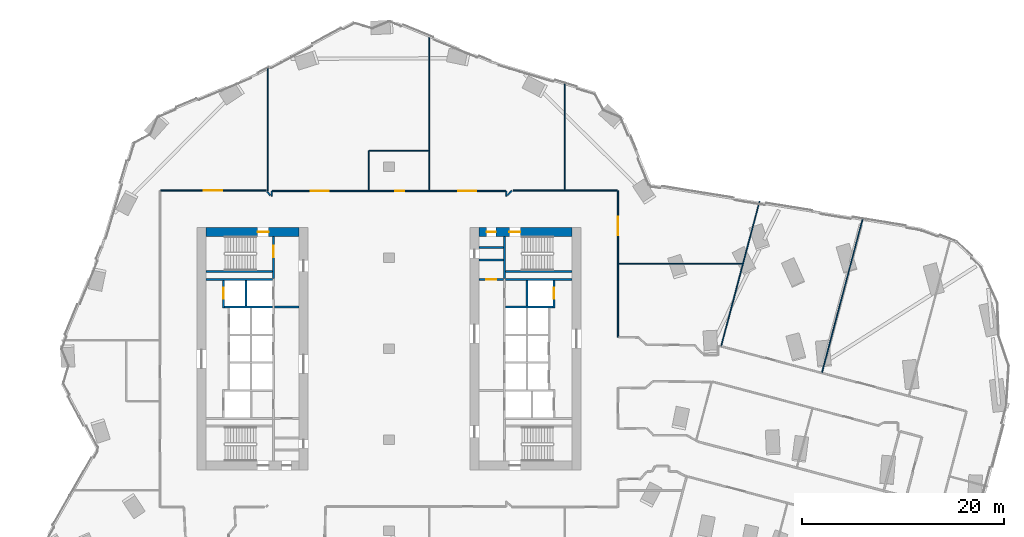
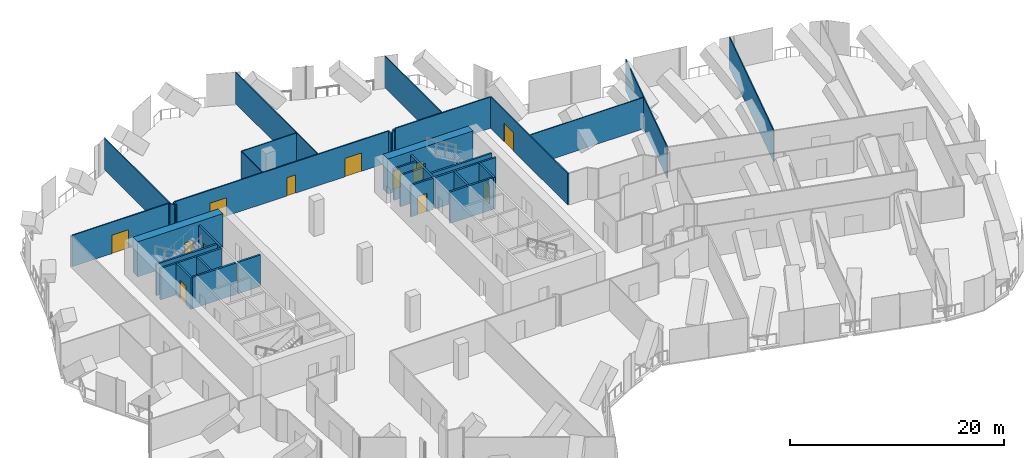
# One storey, part 32 of 37: 34 walls, 12 doors, 12 openings.
"""IFC4 building model written with IfcOpenShell, lengths in metres."""

from ifc_helpers import new_model, si_unit, direction, frame, frame_2d, origin, place, context, subcontext, project, spatial, rectangle, extrude, material, layer, layer_set, type_object, element, fill, save


model = new_model("IFC4")

# Units and contexts
model_context = context("Model", 3, precision=1e-05, world=origin(), true_north=direction((0.0, 1.0)))
body_context = subcontext(model_context, "Body", "Model", "MODEL_VIEW")
ifc_project = project(units=[si_unit("LENGTHUNIT", "METRE"), si_unit("AREAUNIT", "SQUARE_METRE"), si_unit("VOLUMEUNIT", "CUBIC_METRE"), si_unit("PLANEANGLEUNIT", "RADIAN"), si_unit("MASSUNIT", "GRAM", prefix="KILO")], contexts=[model_context])

# Site, building, storey
site_placement = place(None, origin())
site = spatial("IfcSite", under=ifc_project, at=site_placement, CompositionType="ELEMENT")
building_placement = place(site_placement, origin())
building = spatial("IfcBuilding", under=site, at=building_placement, Name="Orlundy Tower", CompositionType="ELEMENT")
storey_placement = place(building_placement, frame((0.0, 0.0, 119.699951171875)))
storey = spatial("IfcBuildingStorey", under=building, at=storey_placement, Name="L30", CompositionType="ELEMENT", Elevation=119.699951171875)

# Wall, opening, door
ifc_material_1 = material(Name="Concrete C80/95", Category="concrete")
ifc_layer_1 = layer(ifc_material_1, 0.89990234375)
ifc_layer_set_1 = layer_set([ifc_layer_1], Name="CORE WALL 900 C80/95")
wall_type_1 = type_object("IfcWallType", Name="CORE WALL 900 C80/95", PredefinedType="SHEAR", material=ifc_layer_set_1)
wall_1_placement = place(storey_placement, frame((-18.10009765625, 11.550048828125, 0.0), z_axis=(0.0, 0.0, 1.0), x_axis=(1.0, 0.0, 0.0)))
wall_1 = element("IfcWall", 1, at=wall_1_placement, inside=storey, type_object=wall_type_1, Name="Core wall W-N L30", PredefinedType="SHEAR", context=body_context, shape_type="SweptSolid", body=[
    extrude(rectangle(XDim=9.2001953125, YDim=0.89990234375, at=frame_2d((4.60009765625, 0.0))), origin(), (0.0, 0.0, 1.0), 4.0),
])
opening_1_placement = place(wall_1_placement, frame((5.10009765625, 0.0, 0.0)))
opening_1 = element("IfcOpeningElement", 2, at=opening_1_placement, cuts=wall_1, Name="Opening 23012", PredefinedType="OPENING", context=body_context, shape_type="SweptSolid", body=[
    extrude(rectangle(XDim=1.10009765625, YDim=2.10009765625, at=frame_2d((0.550048828125, 1.050048828125))), frame((0.0, 0.4599609375, 0.0), z_axis=(0.0, -1.0, 0.0), x_axis=(1.0, 0.0, 0.0)), (0.0, 0.0, 1.0), 0.919921875),
])
ifc_material_2 = material(Name="Steel door set", Category="steel")
door_type_1 = type_object("IfcDoorType", Name="Stair Door 1100x2100", OperationType="SINGLE_SWING_LEFT", PredefinedType="DOOR", material=ifc_material_2)
door_1_placement = place(opening_1_placement, origin())
door_1 = element("IfcDoor", 3, at=door_1_placement, inside=storey, type_object=door_type_1, Name="Stair door 23012", OperationType="SINGLE_SWING_RIGHT", OverallHeight=2.10009765625, OverallWidth=1.10009765625, PredefinedType="DOOR", context=body_context, shape_type="SweptSolid", body=[
    extrude(rectangle(XDim=1.10009765625, YDim=2.10009765625, at=frame_2d((0.550048828125, 1.050048828125))), frame((0.0, 0.02490234375, 0.0), z_axis=(0.0, -1.0, 0.0), x_axis=(1.0, 0.0, 0.0)), (0.0, 0.0, 1.0), 0.050048828125),
])
fill(opening_1, door_1)

# Wall, openings, doors
wall_2_placement = place(storey_placement, frame((8.89990234375, 11.550048828125, 0.0), z_axis=(0.0, 0.0, 1.0), x_axis=(1.0, 0.0, 0.0)))
wall_2 = element("IfcWall", 4, at=wall_2_placement, inside=storey, type_object=wall_type_1, Name="Core wall E-N L30", PredefinedType="SHEAR", context=body_context, shape_type="SweptSolid", body=[
    extrude(rectangle(XDim=9.2001953125, YDim=0.89990234375, at=frame_2d((4.60009765625, 0.0))), origin(), (0.0, 0.0, 1.0), 4.0),
])
opening_2_placement = place(wall_2_placement, frame((3.0, 0.0, 0.0)))
opening_2 = element("IfcOpeningElement", 5, at=opening_2_placement, cuts=wall_2, Name="Opening 23062", PredefinedType="OPENING", context=body_context, shape_type="SweptSolid", body=[
    extrude(rectangle(XDim=1.10009765625, YDim=2.10009765625, at=frame_2d((0.550048828125, 1.050048828125))), frame((0.0, 0.4599609375, 0.0), z_axis=(0.0, -1.0, 0.0), x_axis=(1.0, 0.0, 0.0)), (0.0, 0.0, 1.0), 0.919921875),
])
opening_3_placement = place(wall_2_placement, frame((0.77001953125, 0.0, 0.0)))
opening_3 = element("IfcOpeningElement", 6, at=opening_3_placement, cuts=wall_2, Name="Opening 23064", PredefinedType="OPENING", context=body_context, shape_type="SweptSolid", body=[
    extrude(rectangle(XDim=0.89990234375, YDim=2.10009765625, at=frame_2d((0.449951171875, 1.050048828125))), frame((0.0, 0.4599609375, 0.0), z_axis=(0.0, -1.0, 0.0), x_axis=(1.0, 0.0, 0.0)), (0.0, 0.0, 1.0), 0.919921875),
])
ifc_material_3 = material(Name="Timber door set", Category="wood")
door_type_2 = type_object("IfcDoorType", Name="Room Door 900x2100", OperationType="SINGLE_SWING_LEFT", PredefinedType="DOOR", material=ifc_material_3)
door_2_placement = place(opening_3_placement, origin())
door_2 = element("IfcDoor", 7, at=door_2_placement, inside=storey, type_object=door_type_2, Name="Store door 23064", OperationType="SINGLE_SWING_LEFT", OverallHeight=2.10009765625, OverallWidth=0.89990234375, PredefinedType="DOOR", context=body_context, shape_type="SweptSolid", body=[
    extrude(rectangle(XDim=0.89990234375, YDim=2.10009765625, at=frame_2d((0.449951171875, 1.050048828125))), frame((0.0, 0.02490234375, 0.0), z_axis=(0.0, -1.0, 0.0), x_axis=(1.0, 0.0, 0.0)), (0.0, 0.0, 1.0), 0.050048828125),
])
fill(opening_3, door_2)
door_3_placement = place(opening_2_placement, origin())
door_3 = element("IfcDoor", 8, at=door_3_placement, inside=storey, type_object=door_type_1, Name="Stair door 23062", OperationType="SINGLE_SWING_LEFT", OverallHeight=2.10009765625, OverallWidth=1.10009765625, PredefinedType="DOOR", context=body_context, shape_type="SweptSolid", body=[
    extrude(rectangle(XDim=1.10009765625, YDim=2.10009765625, at=frame_2d((0.550048828125, 1.050048828125))), frame((0.0, 0.02490234375, 0.0), z_axis=(0.0, -1.0, 0.0), x_axis=(1.0, 0.0, 0.0)), (0.0, 0.0, 1.0), 0.050048828125),
])
fill(opening_2, door_3)

# Walls
ifc_material_4 = material(Name="Gypsum board partition")
ifc_layer_2 = layer(ifc_material_4, 0.10009765625)
ifc_layer_set_2 = layer_set([ifc_layer_2], Name="Floor partition 100")
wall_type_2 = type_object("IfcWallType", Name="Floor partition 100", PredefinedType="PARTITIONING", material=ifc_layer_set_2)
wall_3_placement = place(storey_placement, frame((22.7119140625, 8.404052734375, 0.0), z_axis=(0.0, 0.0, 1.0), x_axis=(1.0, 0.0, 0.0)))
element("IfcWall", 9, at=wall_3_placement, inside=storey, type_object=wall_type_2, Name="wall-int-L30-066", PredefinedType="PARTITIONING", context=body_context, shape_type="SweptSolid", body=[
    extrude(rectangle(XDim=12.235107421875, YDim=0.10009765625, at=frame_2d((6.11767578125, 0.0))), origin(), (0.0, 0.0, 1.0), 3.580078125),
])
wall_4_placement = place(storey_placement, frame((-1.949951171875, 19.60009765625, 0.0), z_axis=(0.0, 0.0, 1.0), x_axis=(1.0, 0.0, 0.0)))
element("IfcWall", 10, at=wall_4_placement, inside=storey, type_object=wall_type_2, Name="wall-int-L30-070", PredefinedType="PARTITIONING", context=body_context, shape_type="SweptSolid", body=[
    extrude(rectangle(XDim=5.89990234375, YDim=0.10009765625, at=frame_2d((2.949951171875, 0.0))), origin(), (0.0, 0.0, 1.0), 3.580078125),
])
wall_5_placement = place(storey_placement, frame((42.8310546875, -2.330078125, 0.0), z_axis=(0.0, 0.0, 1.0), x_axis=(0.255993185123, 0.966678586279, 0.0)))
element("IfcWall", 11, at=wall_5_placement, inside=storey, type_object=wall_type_2, Name="wall-int-L30-102", PredefinedType="PARTITIONING", context=body_context, shape_type="SweptSolid", body=[
    extrude(rectangle(XDim=15.8046875, YDim=0.10009765625, at=frame_2d((7.90234375, 0.0))), origin(), (0.0, 0.0, 1.0), 3.580078125),
])
wall_6_placement = place(storey_placement, frame((32.85205078125, 0.2490234375, 0.0), z_axis=(0.0, 0.0, 1.0), x_axis=(0.256084696708, 0.966654347796, 0.0)))
element("IfcWall", 12, at=wall_6_placement, inside=storey, type_object=wall_type_2, Name="wall-int-L30-105", PredefinedType="PARTITIONING", context=body_context, shape_type="SweptSolid", body=[
    extrude(rectangle(XDim=14.8427734375, YDim=0.10009765625, at=frame_2d((7.42138671875, 0.0))), origin(), (0.0, 0.0, 1.0), 3.580078125),
])
wall_7_placement = place(storey_placement, frame((17.405029296875, 15.712890625, 0.0), z_axis=(0.0, 0.0, 1.0), x_axis=(0.0, 1.0, 0.0)))
element("IfcWall", 13, at=wall_7_placement, inside=storey, type_object=wall_type_2, Name="wall-int-L30-120", PredefinedType="PARTITIONING", context=body_context, shape_type="SweptSolid", body=[
    extrude(rectangle(XDim=10.653076171875, YDim=0.10009765625, at=frame_2d((5.32666015625, 0.0))), origin(), (0.0, 0.0, 1.0), 3.580078125),
])
wall_8_placement = place(storey_placement, frame((4.0, 15.6640625, 0.0), z_axis=(0.0, 0.0, 1.0), x_axis=(0.0, 1.0, 0.0)))
element("IfcWall", 14, at=wall_8_placement, inside=storey, type_object=wall_type_2, Name="wall-int-L30-124", PredefinedType="PARTITIONING", context=body_context, shape_type="SweptSolid", body=[
    extrude(rectangle(XDim=15.39697265625, YDim=0.10009765625, at=frame_2d((7.698486328125, 0.0))), origin(), (0.0, 0.0, 1.0), 3.580078125),
])
wall_9_placement = place(storey_placement, frame((-2.0009765625, 15.6640625, 0.0), z_axis=(0.0, 0.0, 1.0), x_axis=(0.0, 1.0, 0.0)))
element("IfcWall", 15, at=wall_9_placement, inside=storey, type_object=wall_type_2, Name="wall-int-L30-125", PredefinedType="PARTITIONING", context=body_context, shape_type="SweptSolid", body=[
    extrude(rectangle(XDim=3.93505859375, YDim=0.10009765625, at=frame_2d((1.967529296875, 0.0))), origin(), (0.0, 0.0, 1.0), 3.580078125),
])
wall_10_placement = place(storey_placement, frame((-12.0, 15.614990234375, 0.0), z_axis=(0.0, 0.0, 1.0), x_axis=(0.0, 1.0, 0.0)))
element("IfcWall", 16, at=wall_10_placement, inside=storey, type_object=wall_type_2, Name="wall-int-L30-131", PredefinedType="PARTITIONING", context=body_context, shape_type="SweptSolid", body=[
    extrude(rectangle(XDim=12.281982421875, YDim=0.10009765625, at=frame_2d((6.14111328125, 0.0))), origin(), (0.0, 0.0, 1.0), 3.580078125),
])
ifc_material_5 = material(Name="Gypsum board partition, double layer")
ifc_layer_3 = layer(ifc_material_5, 0.125)
ifc_layer_set_3 = layer_set([ifc_layer_3], Name="Floor partition 125")
wall_type_3 = type_object("IfcWallType", Name="Floor partition 125", PredefinedType="PARTITIONING", material=ifc_layer_set_3)
wall_11_placement = place(storey_placement, frame((-12.0458984375, 15.52392578125, 0.0), z_axis=(0.0, 0.0, 1.0), x_axis=(0.707106781187, -0.707106781187, 0.0)))
element("IfcWall", 17, at=wall_11_placement, inside=storey, type_object=wall_type_3, Name="wall-int-L30-010", PredefinedType="PARTITIONING", context=body_context, shape_type="SweptSolid", body=[
    extrude(rectangle(XDim=0.4482421875, YDim=0.125, at=frame_2d((0.22412109375, 0.0))), origin(), (0.0, 0.0, 1.0), 3.580078125),
])

# Wall, openings, doors
wall_12_placement = place(storey_placement, frame((-11.537109375, 15.60107421875, 0.0), z_axis=(0.0, 0.0, 1.0), x_axis=(1.0, 0.0, 0.0)))
wall_12 = element("IfcWall", 18, at=wall_12_placement, inside=storey, type_object=wall_type_3, Name="wall-int-L30-067", PredefinedType="PARTITIONING", context=body_context, shape_type="SweptSolid", body=[
    extrude(rectangle(XDim=23.07421875, YDim=0.125, at=frame_2d((11.537109375, 0.0))), origin(), (0.0, 0.0, 1.0), 3.580078125),
])
opening_4_placement = place(wall_12_placement, frame((18.387451171875, 0.0, 0.0)))
opening_4 = element("IfcOpeningElement", 19, at=opening_4_placement, cuts=wall_12, Name="Opening 23129", PredefinedType="OPENING", context=body_context, shape_type="SweptSolid", body=[
    extrude(rectangle(XDim=1.800048828125, YDim=2.10009765625, at=frame_2d((0.89990234375, 1.050048828125))), frame((0.0, 0.072509765625, 0.0), z_axis=(0.0, -1.0, 0.0), x_axis=(1.0, 0.0, 0.0)), (0.0, 0.0, 1.0), 0.14501953125),
])
opening_5_placement = place(wall_12_placement, frame((3.78759765625, 0.0, 0.0)))
opening_5 = element("IfcOpeningElement", 20, at=opening_5_placement, cuts=wall_12, Name="Opening 23130", PredefinedType="OPENING", context=body_context, shape_type="SweptSolid", body=[
    extrude(rectangle(XDim=1.800048828125, YDim=2.10009765625, at=frame_2d((0.89990234375, 1.050048828125))), frame((0.0, 0.072509765625, 0.0), z_axis=(0.0, -1.0, 0.0), x_axis=(1.0, 0.0, 0.0)), (0.0, 0.0, 1.0), 0.14501953125),
])
opening_6_placement = place(wall_12_placement, frame((12.137451171875, 0.0, 0.0)))
opening_6 = element("IfcOpeningElement", 21, at=opening_6_placement, cuts=wall_12, Name="Opening 23132", PredefinedType="OPENING", context=body_context, shape_type="SweptSolid", body=[
    extrude(rectangle(XDim=0.89990234375, YDim=2.10009765625, at=frame_2d((0.449951171875, 1.050048828125))), frame((0.0, 0.072509765625, 0.0), z_axis=(0.0, -1.0, 0.0), x_axis=(1.0, 0.0, 0.0)), (0.0, 0.0, 1.0), 0.14501953125),
])
ifc_material_6 = material(Name="Timber door leaf", Category="wood")
door_type_3 = type_object("IfcDoorType", Name="Floor door double 1800 FD30S", OperationType="NOTDEFINED", PredefinedType="DOOR", material=ifc_material_6)
door_4_placement = place(opening_4_placement, origin())
door_4 = element("IfcDoor", 22, at=door_4_placement, inside=storey, type_object=door_type_3, Name="Door 23129", OperationType="DOUBLE_DOOR_SINGLE_SWING", OverallHeight=2.10009765625, OverallWidth=1.800048828125, PredefinedType="DOOR", context=body_context, shape_type="SweptSolid", body=[
    extrude(rectangle(XDim=1.800048828125, YDim=2.10009765625, at=frame_2d((0.89990234375, 1.050048828125))), frame((0.0, 0.02490234375, 0.0), z_axis=(0.0, -1.0, 0.0), x_axis=(1.0, 0.0, 0.0)), (0.0, 0.0, 1.0), 0.050048828125),
])
fill(opening_4, door_4)
door_5_placement = place(opening_5_placement, origin())
door_5 = element("IfcDoor", 23, at=door_5_placement, inside=storey, type_object=door_type_3, Name="Door 23130", OperationType="DOUBLE_DOOR_SINGLE_SWING", OverallHeight=2.10009765625, OverallWidth=1.800048828125, PredefinedType="DOOR", context=body_context, shape_type="SweptSolid", body=[
    extrude(rectangle(XDim=1.800048828125, YDim=2.10009765625, at=frame_2d((0.89990234375, 1.050048828125))), frame((0.0, 0.02490234375, 0.0), z_axis=(0.0, -1.0, 0.0), x_axis=(1.0, 0.0, 0.0)), (0.0, 0.0, 1.0), 0.050048828125),
])
fill(opening_5, door_5)
ifc_material_7 = material(Name="Timber door leaf", Category="wood")
door_type_4 = type_object("IfcDoorType", Name="Floor door single 900 FD30S", OperationType="NOTDEFINED", PredefinedType="DOOR", material=ifc_material_7)
door_6_placement = place(opening_6_placement, origin())
door_6 = element("IfcDoor", 24, at=door_6_placement, inside=storey, type_object=door_type_4, Name="Door 23132", OperationType="SINGLE_SWING_RIGHT", OverallHeight=2.10009765625, OverallWidth=0.89990234375, PredefinedType="DOOR", context=body_context, shape_type="SweptSolid", body=[
    extrude(rectangle(XDim=0.89990234375, YDim=2.10009765625, at=frame_2d((0.449951171875, 1.050048828125))), frame((0.0, 0.02490234375, 0.0), z_axis=(0.0, -1.0, 0.0), x_axis=(1.0, 0.0, 0.0)), (0.0, 0.0, 1.0), 0.050048828125),
])
fill(opening_6, door_6)

# Wall, opening, door
wall_13_placement = place(storey_placement, frame((-22.5869140625, 15.65087890625, 0.0), z_axis=(0.0, 0.0, 1.0), x_axis=(1.0, 0.0, 0.0)))
wall_13 = element("IfcWall", 25, at=wall_13_placement, inside=storey, type_object=wall_type_3, Name="wall-int-L30-068", PredefinedType="PARTITIONING", context=body_context, shape_type="SweptSolid", body=[
    extrude(rectangle(XDim=10.427001953125, YDim=0.125, at=frame_2d((5.21337890625, 0.0))), origin(), (0.0, 0.0, 1.0), 3.580078125),
])
opening_7_placement = place(wall_13_placement, frame((4.28759765625, 0.0, 0.0)))
opening_7 = element("IfcOpeningElement", 26, at=opening_7_placement, cuts=wall_13, Name="Opening 23131", PredefinedType="OPENING", context=body_context, shape_type="SweptSolid", body=[
    extrude(rectangle(XDim=1.800048828125, YDim=2.10009765625, at=frame_2d((0.89990234375, 1.050048828125))), frame((0.0, 0.072509765625, 0.0), z_axis=(0.0, -1.0, 0.0), x_axis=(1.0, 0.0, 0.0)), (0.0, 0.0, 1.0), 0.14501953125),
])
door_7_placement = place(opening_7_placement, origin())
door_7 = element("IfcDoor", 27, at=door_7_placement, inside=storey, type_object=door_type_3, Name="Door 23131", OperationType="DOUBLE_DOOR_SINGLE_SWING", OverallHeight=2.10009765625, OverallWidth=1.800048828125, PredefinedType="DOOR", context=body_context, shape_type="SweptSolid", body=[
    extrude(rectangle(XDim=1.800048828125, YDim=2.10009765625, at=frame_2d((0.89990234375, 1.050048828125))), frame((0.0, 0.02490234375, 0.0), z_axis=(0.0, -1.0, 0.0), x_axis=(1.0, 0.0, 0.0)), (0.0, 0.0, 1.0), 0.050048828125),
])
fill(opening_7, door_7)

# Walls
wall_14_placement = place(storey_placement, frame((12.31103515625, 15.65087890625, 0.0), z_axis=(0.0, 0.0, 1.0), x_axis=(1.0, 0.0, 0.0)))
element("IfcWall", 28, at=wall_14_placement, inside=storey, type_object=wall_type_3, Name="wall-int-L30-069", PredefinedType="PARTITIONING", context=body_context, shape_type="SweptSolid", body=[
    extrude(rectangle(XDim=10.27587890625, YDim=0.125, at=frame_2d((5.137939453125, 0.0))), origin(), (0.0, 0.0, 1.0), 3.580078125),
])
wall_15_placement = place(storey_placement, frame((11.72900390625, 15.20703125, 0.0), z_axis=(0.0, 0.0, 1.0), x_axis=(0.707106781187, 0.707106781187, 0.0)))
element("IfcWall", 29, at=wall_15_placement, inside=storey, type_object=wall_type_3, Name="wall-int-L30-076", PredefinedType="PARTITIONING", context=body_context, shape_type="SweptSolid", body=[
    extrude(rectangle(XDim=0.599609375, YDim=0.125, at=frame_2d((0.2998046875, 0.0))), origin(), (0.0, 0.0, 1.0), 3.580078125),
])
wall_16_placement = place(storey_placement, frame((-11.60107421875, 15.092041015625, 0.0), z_axis=(0.0, 0.0, 1.0), x_axis=(0.00192214926, 0.999998152669, 0.0)))
element("IfcWall", 30, at=wall_16_placement, inside=storey, type_object=wall_type_3, Name="wall-int-L30-111", PredefinedType="PARTITIONING", context=body_context, shape_type="SweptSolid", body=[
    extrude(rectangle(XDim=0.508056640625, YDim=0.125, at=frame_2d((0.25390625, 0.0))), origin(), (0.0, 0.0, 1.0), 3.580078125),
])

# Wall, opening, door
wall_17_placement = place(storey_placement, frame((22.64990234375, 15.65087890625, 0.0), z_axis=(0.0, 0.0, 1.0), x_axis=(0.0, -1.0, 0.0)))
wall_17 = element("IfcWall", 31, at=wall_17_placement, inside=storey, type_object=wall_type_3, Name="wall-int-L30-118", PredefinedType="PARTITIONING", context=body_context, shape_type="SweptSolid", body=[
    extrude(rectangle(XDim=14.491943359375, YDim=0.125, at=frame_2d((7.24609375, 0.0))), origin(), (0.0, 0.0, 1.0), 3.580078125),
])
opening_8_placement = place(wall_17_placement, frame((2.60009765625, 0.0, 0.0)))
opening_8 = element("IfcOpeningElement", 32, at=opening_8_placement, cuts=wall_17, Name="Opening 23128", PredefinedType="OPENING", context=body_context, shape_type="SweptSolid", body=[
    extrude(rectangle(XDim=1.800048828125, YDim=2.10009765625, at=frame_2d((0.89990234375, 1.050048828125))), frame((0.0, 0.072509765625, 0.0), z_axis=(0.0, -1.0, 0.0), x_axis=(1.0, 0.0, 0.0)), (0.0, 0.0, 1.0), 0.14501953125),
])
door_8_placement = place(opening_8_placement, origin())
door_8 = element("IfcDoor", 33, at=door_8_placement, inside=storey, type_object=door_type_3, Name="Door 23128", OperationType="DOUBLE_DOOR_SINGLE_SWING", OverallHeight=2.10009765625, OverallWidth=1.800048828125, PredefinedType="DOOR", context=body_context, shape_type="SweptSolid", body=[
    extrude(rectangle(XDim=1.800048828125, YDim=2.10009765625, at=frame_2d((0.89990234375, 1.050048828125))), frame((0.0, 0.02490234375, 0.0), z_axis=(0.0, -1.0, 0.0), x_axis=(1.0, 0.0, 0.0)), (0.0, 0.0, 1.0), 0.050048828125),
])
fill(opening_8, door_8)

# Wall
wall_18_placement = place(storey_placement, frame((11.60107421875, 15.092041015625, 0.0), z_axis=(0.0, 0.0, 1.0), x_axis=(0.0, 1.0, 0.0)))
element("IfcWall", 34, at=wall_18_placement, inside=storey, type_object=wall_type_3, Name="wall-int-L30-122", PredefinedType="PARTITIONING", context=body_context, shape_type="SweptSolid", body=[
    extrude(rectangle(XDim=0.508056640625, YDim=0.125, at=frame_2d((0.25390625, 0.0))), origin(), (0.0, 0.0, 1.0), 3.580078125),
])

# Wall, opening, door
ifc_material_8 = material(Name="Concrete C40/50", Category="concrete")
ifc_layer_4 = layer(ifc_material_8, 0.199951171875)
ifc_layer_set_4 = layer_set([ifc_layer_4], Name="Load-bearing Shaft Wall 200")
wall_type_4 = type_object("IfcWallType", Name="Load-bearing Shaft Wall 200", PredefinedType="SOLIDWALL", material=ifc_layer_set_4)
wall_19_placement = place(storey_placement, frame((-11.43994140625, 6.97509765625, 0.0), z_axis=(0.0, 0.0, 1.0), x_axis=(0.0, 1.0, 0.0)))
wall_19 = element("IfcWall", 35, at=wall_19_placement, inside=storey, type_object=wall_type_4, Name="Shaft wall W23-stair-end-n", PredefinedType="SOLIDWALL", context=body_context, shape_type="SweptSolid", body=[
    extrude(rectangle(XDim=4.125, YDim=0.199951171875, at=frame_2d((2.0625, 0.0))), origin(), (0.0, 0.0, 1.0), 3.590087890625),
])
opening_9_placement = place(wall_19_placement, frame((2.10009765625, 0.0, 0.0)))
opening_9 = element("IfcOpeningElement", 36, at=opening_9_placement, cuts=wall_19, Name="Opening 23014", PredefinedType="OPENING", context=body_context, shape_type="SweptSolid", body=[
    extrude(rectangle(XDim=1.10009765625, YDim=2.10009765625, at=frame_2d((0.550048828125, 1.050048828125))), frame((0.0, 0.110107421875, 0.0), z_axis=(0.0, -1.0, 0.0), x_axis=(1.0, 0.0, 0.0)), (0.0, 0.0, 1.0), 0.22021484375),
])
ifc_material_9 = material(Name="Steel door set", Category="steel")
door_type_5 = type_object("IfcDoorType", Name="Fire-fighting Lobby Door 1100x2100", OperationType="SINGLE_SWING_LEFT", PredefinedType="DOOR", material=ifc_material_9)
door_9_placement = place(opening_9_placement, origin())
door_9 = element("IfcDoor", 37, at=door_9_placement, inside=storey, type_object=door_type_5, Name="Fire-fighting lobby to stair door 23014", OperationType="SINGLE_SWING_RIGHT", OverallHeight=2.10009765625, OverallWidth=1.10009765625, PredefinedType="DOOR", context=body_context, shape_type="SweptSolid", body=[
    extrude(rectangle(XDim=1.10009765625, YDim=2.10009765625, at=frame_2d((0.550048828125, 1.050048828125))), frame((0.0, 0.02490234375, 0.0), z_axis=(0.0, -1.0, 0.0), x_axis=(1.0, 0.0, 0.0)), (0.0, 0.0, 1.0), 0.050048828125),
])
fill(opening_9, door_9)

# Walls
wall_20_placement = place(storey_placement, frame((-11.5400390625, 7.64990234375, 0.0), z_axis=(0.0, 0.0, 1.0), x_axis=(-1.0, 0.0, 0.0)))
element("IfcWall", 38, at=wall_20_placement, inside=storey, type_object=wall_type_4, Name="Shaft wall W23-stair-side-n", PredefinedType="SOLIDWALL", context=body_context, shape_type="SweptSolid", body=[
    extrude(rectangle(XDim=6.56005859375, YDim=0.199951171875, at=frame_2d((3.280029296875, 0.0))), origin(), (0.0, 0.0, 1.0), 3.590087890625),
])
wall_21_placement = place(storey_placement, frame((11.43994140625, 11.10009765625, 0.0), z_axis=(0.0, 0.0, 1.0), x_axis=(0.0, -1.0, 0.0)))
element("IfcWall", 39, at=wall_21_placement, inside=storey, type_object=wall_type_4, Name="Shaft wall E23-stair-end-s", PredefinedType="SOLIDWALL", context=body_context, shape_type="SweptSolid", body=[
    extrude(rectangle(XDim=4.125, YDim=0.199951171875, at=frame_2d((2.0625, 0.0))), origin(), (0.0, 0.0, 1.0), 3.590087890625),
])
wall_22_placement = place(storey_placement, frame((11.5400390625, 7.64990234375, 0.0), z_axis=(0.0, 0.0, 1.0), x_axis=(1.0, 0.0, 0.0)))
element("IfcWall", 40, at=wall_22_placement, inside=storey, type_object=wall_type_4, Name="Shaft wall E23-stair-side-s", PredefinedType="SOLIDWALL", context=body_context, shape_type="SweptSolid", body=[
    extrude(rectangle(XDim=6.56005859375, YDim=0.199951171875, at=frame_2d((3.280029296875, 0.0))), origin(), (0.0, 0.0, 1.0), 3.590087890625),
])
ifc_material_10 = material(Name="Gypsum board partition on steel studs", Category="steel")
ifc_layer_5 = layer(ifc_material_10, 0.199951171875)
ifc_layer_set_5 = layer_set([ifc_layer_5], Name="Partition 200")
wall_type_5 = type_object("IfcWallType", Name="Partition 200", PredefinedType="PARTITIONING", material=ifc_layer_set_5)
wall_23_placement = place(storey_placement, frame((-8.89990234375, 4.125, 0.0), z_axis=(0.0, 0.0, 1.0), x_axis=(-1.0, 0.0, 0.0)))
element("IfcWall", 41, at=wall_23_placement, inside=storey, type_object=wall_type_5, Name="Partition wall W23-lobby-n", PredefinedType="PARTITIONING", context=body_context, shape_type="SweptSolid", body=[
    extrude(rectangle(XDim=2.440185546875, YDim=0.199951171875, at=frame_2d((1.22021484375, 0.0))), origin(), (0.0, 0.0, 1.0), 3.590087890625),
])

# Wall, opening, door
wall_24_placement = place(storey_placement, frame((8.89990234375, 6.875, 0.0), z_axis=(0.0, 0.0, 1.0), x_axis=(1.0, 0.0, 0.0)))
wall_24 = element("IfcWall", 42, at=wall_24_placement, inside=storey, type_object=wall_type_5, Name="Partition wall E23-end-s", PredefinedType="PARTITIONING", context=body_context, shape_type="SweptSolid", body=[
    extrude(rectangle(XDim=2.440185546875, YDim=0.199951171875, at=frame_2d((1.22021484375, 0.0))), origin(), (0.0, 0.0, 1.0), 3.590087890625),
])
opening_10_placement = place(wall_24_placement, frame((0.719970703125, 0.0, 0.0)))
opening_10 = element("IfcOpeningElement", 43, at=opening_10_placement, cuts=wall_24, Name="Opening 23066", PredefinedType="OPENING", context=body_context, shape_type="SweptSolid", body=[
    extrude(rectangle(XDim=1.0, YDim=2.10009765625, at=frame_2d((0.5, 1.050048828125))), frame((0.0, 0.110107421875, 0.0), z_axis=(0.0, -1.0, 0.0), x_axis=(1.0, 0.0, 0.0)), (0.0, 0.0, 1.0), 0.22021484375),
])
ifc_material_11 = material(Name="Timber door set", Category="wood")
door_type_6 = type_object("IfcDoorType", Name="Accessible Door 1000x2100", OperationType="SINGLE_SWING_LEFT", PredefinedType="DOOR", material=ifc_material_11)
door_10_placement = place(opening_10_placement, origin())
door_10 = element("IfcDoor", 44, at=door_10_placement, inside=storey, type_object=door_type_6, Name="Accessible WC door 23066", OperationType="SINGLE_SWING_RIGHT", OverallHeight=2.10009765625, OverallWidth=1.0, PredefinedType="DOOR", context=body_context, shape_type="SweptSolid", body=[
    extrude(rectangle(XDim=1.0, YDim=2.10009765625, at=frame_2d((0.5, 1.050048828125))), frame((0.0, 0.02490234375, 0.0), z_axis=(0.0, -1.0, 0.0), x_axis=(1.0, 0.0, 0.0)), (0.0, 0.0, 1.0), 0.050048828125),
])
fill(opening_10, door_10)

# Walls
for number, where, z_axis, x_axis, name in (
    (45, (8.89990234375, 10.0, 0.0), (0.0, 0.0, 1.0), (1.0, 0.0, 0.0), "Partition wall E23-room-s0"),
    (46, (8.89990234375, 8.800048828125, 0.0), (0.0, 0.0, 1.0), (1.0, 0.0, 0.0), "Partition wall E23-room-s1"),
):
    element("IfcWall", number, at=place(storey_placement, frame(where, z_axis=z_axis, x_axis=x_axis)), inside=storey, type_object=wall_type_5, Name=name, PredefinedType="PARTITIONING", context=body_context, shape_type="SweptSolid", body=[
        extrude(rectangle(XDim=2.440185546875, YDim=0.199951171875, at=frame_2d((1.22021484375, 0.0))), origin(), (0.0, 0.0, 1.0), 3.590087890625),
    ])
ifc_material_12 = material(Name="Fire-rated blockwork shaft wall", Category="masonry")
ifc_layer_6 = layer(ifc_material_12, 0.199951171875)
ifc_layer_set_6 = layer_set([ifc_layer_6], Name="Shaft Wall 200")
wall_type_6 = type_object("IfcWallType", Name="Shaft Wall 200", PredefinedType="SOLIDWALL", material=ifc_layer_set_6)
wall_25_placement = place(storey_placement, frame((-11.5400390625, 6.875, 0.0), z_axis=(0.0, 0.0, 1.0), x_axis=(-1.0, 0.0, 0.0)))
element("IfcWall", 47, at=wall_25_placement, inside=storey, type_object=wall_type_6, Name="Shaft wall W23-zone-n", PredefinedType="SOLIDWALL", context=body_context, shape_type="SweptSolid", body=[
    extrude(rectangle(XDim=6.56005859375, YDim=0.199951171875, at=frame_2d((3.280029296875, 0.0))), origin(), (0.0, 0.0, 1.0), 3.590087890625),
])
wall_26_placement = place(storey_placement, frame((-11.5400390625, 4.125, 0.0), z_axis=(0.0, 0.0, 1.0), x_axis=(-1.0, 0.0, 0.0)))
element("IfcWall", 48, at=wall_26_placement, inside=storey, type_object=wall_type_6, Name="Shaft wall W23-cross+4.125", PredefinedType="SOLIDWALL", context=body_context, shape_type="SweptSolid", body=[
    extrude(rectangle(XDim=4.699951171875, YDim=0.199951171875, at=frame_2d((2.35009765625, 0.0))), origin(), (0.0, 0.0, 1.0), 3.590087890625),
])
wall_27_placement = place(storey_placement, frame((-14.139892578125, 4.22509765625, 0.0), z_axis=(0.0, 0.0, 1.0), x_axis=(0.0, 1.0, 0.0)))
element("IfcWall", 49, at=wall_27_placement, inside=storey, type_object=wall_type_6, Name="Shaft wall W23-mid-b", PredefinedType="SOLIDWALL", context=body_context, shape_type="SweptSolid", body=[
    extrude(rectangle(XDim=2.5498046875, YDim=0.199951171875, at=frame_2d((1.27490234375, 0.0))), origin(), (0.0, 0.0, 1.0), 3.590087890625),
])

# Wall, opening, door
wall_28_placement = place(storey_placement, frame((-16.340087890625, 4.02490234375, 0.0), z_axis=(0.0, 0.0, 1.0), x_axis=(0.0, 1.0, 0.0)))
wall_28 = element("IfcWall", 50, at=wall_28_placement, inside=storey, type_object=wall_type_6, Name="Shaft wall W23-front-o-c", PredefinedType="SOLIDWALL", context=body_context, shape_type="SweptSolid", body=[
    extrude(rectangle(XDim=2.75, YDim=0.199951171875, at=frame_2d((1.375, 0.0))), origin(), (0.0, 0.0, 1.0), 3.590087890625),
])
opening_11_placement = place(wall_28_placement, frame((0.925048828125, 0.0, 0.0)))
opening_11 = element("IfcOpeningElement", 51, at=opening_11_placement, cuts=wall_28, Name="Opening 23007", PredefinedType="OPENING", context=body_context, shape_type="SweptSolid", body=[
    extrude(rectangle(XDim=1.10009765625, YDim=2.10009765625, at=frame_2d((0.550048828125, 1.050048828125))), frame((0.0, 0.110107421875, 0.0), z_axis=(0.0, -1.0, 0.0), x_axis=(1.0, 0.0, 0.0)), (0.0, 0.0, 1.0), 0.22021484375),
])
ifc_material_13 = material(Name="Steel door set", Category="steel")
door_type_7 = type_object("IfcDoorType", Name="Landing Door 1100x2100", OperationType="DOUBLE_DOOR_SLIDING", PredefinedType="DOOR", material=ifc_material_13)
door_11_placement = place(opening_11_placement, origin())
door_11 = element("IfcDoor", 52, at=door_11_placement, inside=storey, type_object=door_type_7, Name="Lift landing door LP-04 23007", OperationType="DOUBLE_DOOR_SLIDING", OverallHeight=2.10009765625, OverallWidth=1.10009765625, PredefinedType="DOOR", context=body_context, shape_type="SweptSolid", body=[
    extrude(rectangle(XDim=1.10009765625, YDim=2.10009765625, at=frame_2d((0.550048828125, 1.050048828125))), frame((0.0, 0.02490234375, 0.0), z_axis=(0.0, -1.0, 0.0), x_axis=(1.0, 0.0, 0.0)), (0.0, 0.0, 1.0), 0.050048828125),
])
fill(opening_11, door_11)

# Walls
wall_29_placement = place(storey_placement, frame((11.5400390625, 6.875, 0.0), z_axis=(0.0, 0.0, 1.0), x_axis=(1.0, 0.0, 0.0)))
element("IfcWall", 53, at=wall_29_placement, inside=storey, type_object=wall_type_6, Name="Shaft wall E23-zone-s", PredefinedType="SOLIDWALL", context=body_context, shape_type="SweptSolid", body=[
    extrude(rectangle(XDim=6.56005859375, YDim=0.199951171875, at=frame_2d((3.280029296875, 0.0))), origin(), (0.0, 0.0, 1.0), 3.590087890625),
])
wall_30_placement = place(storey_placement, frame((11.5400390625, 4.125, 0.0), z_axis=(0.0, 0.0, 1.0), x_axis=(1.0, 0.0, 0.0)))
element("IfcWall", 54, at=wall_30_placement, inside=storey, type_object=wall_type_6, Name="Shaft wall E23-cross-4.125", PredefinedType="SOLIDWALL", context=body_context, shape_type="SweptSolid", body=[
    extrude(rectangle(XDim=4.699951171875, YDim=0.199951171875, at=frame_2d((2.35009765625, 0.0))), origin(), (0.0, 0.0, 1.0), 3.590087890625),
])
wall_31_placement = place(storey_placement, frame((13.639892578125, 6.77490234375, 0.0), z_axis=(0.0, 0.0, 1.0), x_axis=(0.0, -1.0, 0.0)))
element("IfcWall", 55, at=wall_31_placement, inside=storey, type_object=wall_type_6, Name="Shaft wall E23-mid-a", PredefinedType="SOLIDWALL", context=body_context, shape_type="SweptSolid", body=[
    extrude(rectangle(XDim=2.5498046875, YDim=0.199951171875, at=frame_2d((1.27490234375, 0.0))), origin(), (0.0, 0.0, 1.0), 3.590087890625),
])

# Wall, opening, door
wall_32_placement = place(storey_placement, frame((16.340087890625, 6.77490234375, 0.0), z_axis=(0.0, 0.0, 1.0), x_axis=(0.0, -1.0, 0.0)))
wall_32 = element("IfcWall", 56, at=wall_32_placement, inside=storey, type_object=wall_type_6, Name="Shaft wall E23-front-o-a", PredefinedType="SOLIDWALL", context=body_context, shape_type="SweptSolid", body=[
    extrude(rectangle(XDim=2.75, YDim=0.199951171875, at=frame_2d((1.375, 0.0))), origin(), (0.0, 0.0, 1.0), 3.590087890625),
])
opening_12_placement = place(wall_32_placement, frame((0.72509765625, 0.0, 0.0)))
opening_12 = element("IfcOpeningElement", 57, at=opening_12_placement, cuts=wall_32, Name="Opening 23050", PredefinedType="OPENING", context=body_context, shape_type="SweptSolid", body=[
    extrude(rectangle(XDim=1.10009765625, YDim=2.10009765625, at=frame_2d((0.550048828125, 1.050048828125))), frame((0.0, 0.110107421875, 0.0), z_axis=(0.0, -1.0, 0.0), x_axis=(1.0, 0.0, 0.0)), (0.0, 0.0, 1.0), 0.22021484375),
])
door_12_placement = place(opening_12_placement, origin())
door_12 = element("IfcDoor", 58, at=door_12_placement, inside=storey, type_object=door_type_7, Name="Lift landing door LV-02 23050", OperationType="DOUBLE_DOOR_SLIDING", OverallHeight=2.10009765625, OverallWidth=1.10009765625, PredefinedType="DOOR", context=body_context, shape_type="SweptSolid", body=[
    extrude(rectangle(XDim=1.10009765625, YDim=2.10009765625, at=frame_2d((0.550048828125, 1.050048828125))), frame((0.0, 0.02490234375, 0.0), z_axis=(0.0, -1.0, 0.0), x_axis=(1.0, 0.0, 0.0)), (0.0, 0.0, 1.0), 0.050048828125),
])
fill(opening_12, door_12)

save(model, "model.ifc")
